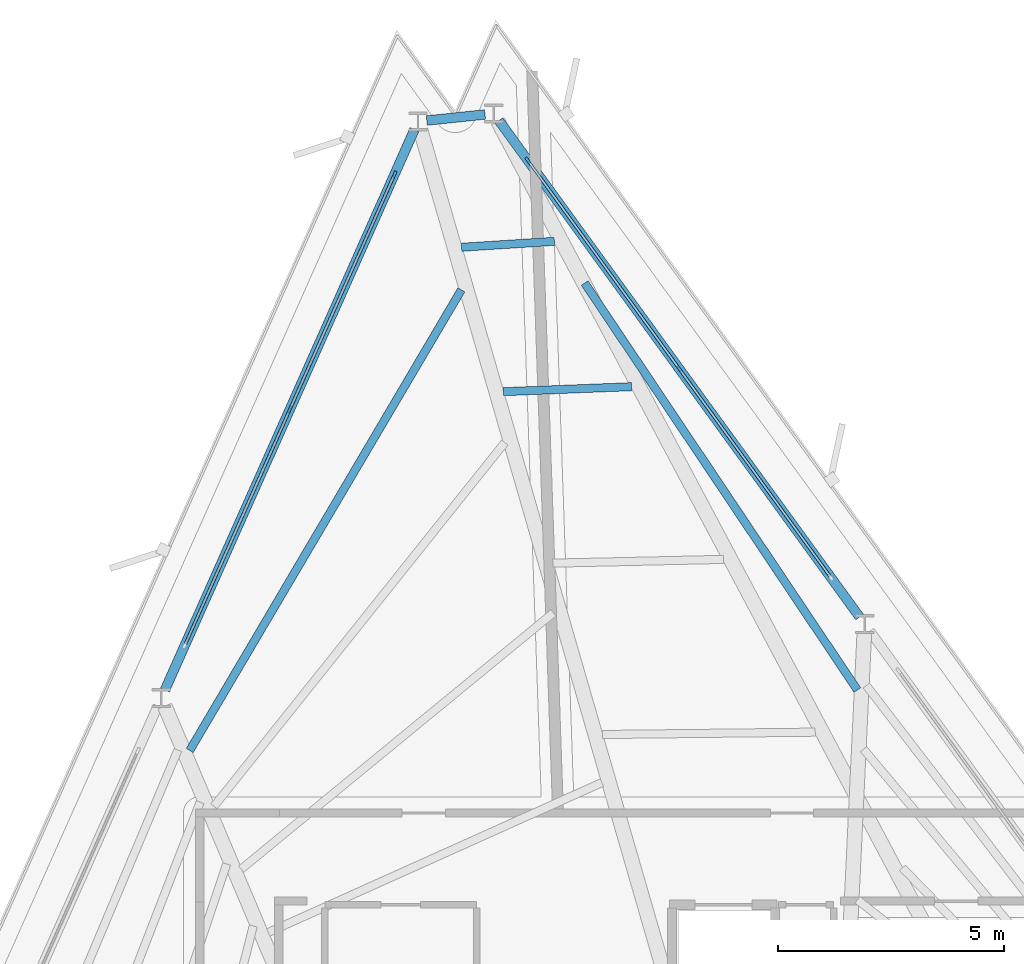
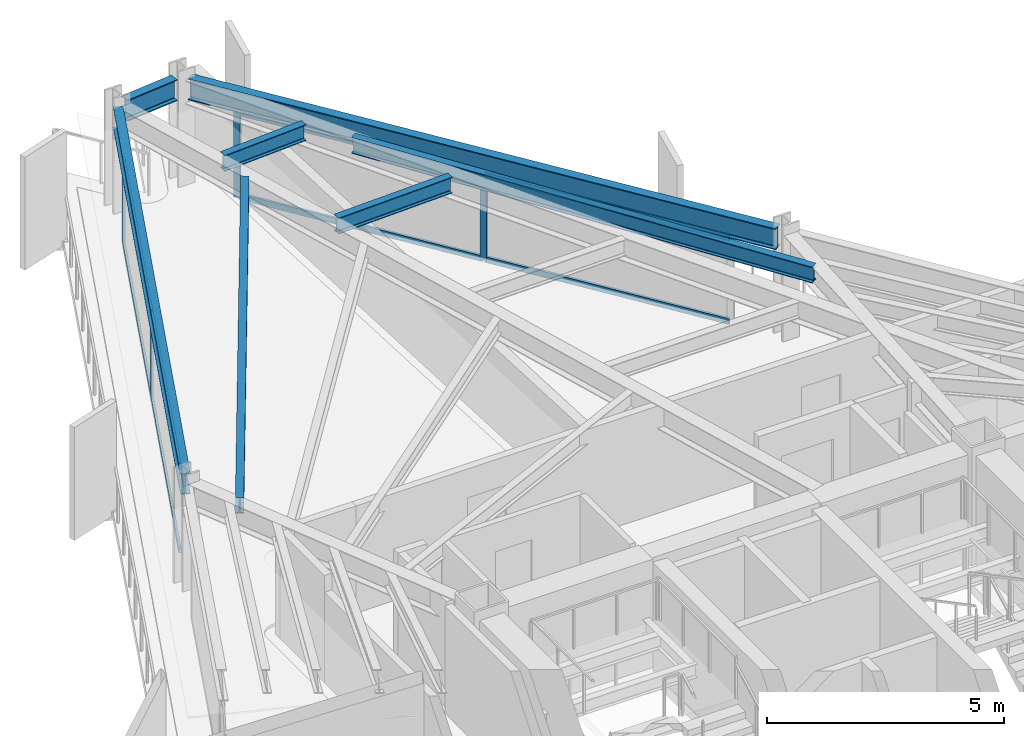
# One storey, part 6 of 13: 12 members, 7 beams, 2 elements without a shape of their own.
"""IFC4 building model written with IfcOpenShell, lengths in metres."""

from ifc_helpers import new_model, si_unit, direction, frame, origin, origin_2d, place, context, subcontext, project, spatial, rectangle, i_section, extrude, material, layer, layer_set, material_profile, profile_set, type_object, element, aggregate, save


model = new_model("IFC4")

# Units and contexts
model_context = context("Model", 3, precision=1e-05, world=origin(), true_north=direction((0.0, 1.0)))
body_context = subcontext(model_context, "Body", "Model", "MODEL_VIEW")
ifc_project = project(units=[si_unit("LENGTHUNIT", "METRE"), si_unit("AREAUNIT", "SQUARE_METRE"), si_unit("VOLUMEUNIT", "CUBIC_METRE"), si_unit("PLANEANGLEUNIT", "RADIAN"), si_unit("MASSUNIT", "GRAM", prefix="KILO")], contexts=[model_context])

# Site, building, storey
site_placement = place(None, origin())
site = spatial("IfcSite", under=ifc_project, at=site_placement, CompositionType="ELEMENT")
building_placement = place(site_placement, origin())
building = spatial("IfcBuilding", under=site, at=building_placement, Name="Rocaltana Carrier Exchange", CompositionType="ELEMENT")
storey_placement = place(building_placement, frame((0.0, 0.0, 119.840087890625)))
storey = spatial("IfcBuildingStorey", under=building, at=storey_placement, Name="L37", CompositionType="ELEMENT", Elevation=119.840087890625)

# Curtain wall, members
ifc_material_1 = material(Name="Aluminium 6063-T6", Category="aluminium")
ifc_layer = layer(ifc_material_1, 0.14990234375)
ifc_layer_set = layer_set([ifc_layer], Name="Aluminium 6063-T6")
curtain_wall_type = type_object("IfcCurtainWallType", Name="Mid-Tower Unitised Curtain Wall CW-03", PredefinedType="NOTDEFINED", material=ifc_layer_set)
curtain_wall_1_placement = place(storey_placement, origin())
curtain_wall_1 = element("IfcCurtainWall", 1, at=curtain_wall_1_placement, inside=storey, type_object=curtain_wall_type, Name="L37 CW-03 Run CW-L37-F1S3", PredefinedType="NOTDEFINED")
ifc_material_2 = material(Name="Aluminium 6063-T6", Category="aluminium")
ifc_material_profile_1 = material_profile(ifc_material_2, rectangle(XDim=0.06005859375, YDim=0.14990234375, at=origin_2d()), Name="AL-60X150")
ifc_profile_set_1 = profile_set([ifc_material_profile_1], Name="Aluminium 6063-T6")
member_type_1 = type_object("IfcMemberType", Name="CW-03 Mullion AL-60X150", PredefinedType="MULLION", material=ifc_profile_set_1)
member_1_placement = place(storey_placement, frame((2.363037109375, 18.980712890625, 0.0), z_axis=(0.0, 0.0, 1.0), x_axis=(-0.809013555195, -0.587789985889, 0.0)))
member_1 = element("IfcMember", 2, at=member_1_placement, type_object=member_type_1, Name="CW-03 mullion 2", PredefinedType="MULLION", context=body_context, shape_type="SweptSolid", body=[
    extrude(rectangle(XDim=0.06005859375, YDim=0.14990234375, at=origin_2d()), origin(), (0.0, 0.0, 1.0), 2.218017578125),
])
member_2_placement = place(storey_placement, frame((-0.9892578125, 23.5947265625, 0.0), z_axis=(0.0, 0.0, 1.0), x_axis=(-0.809013555195, -0.587789985889, 0.0)))
member_2 = element("IfcMember", 3, at=member_2_placement, type_object=member_type_1, Name="CW-03 mullion 3", PredefinedType="MULLION", context=body_context, shape_type="SweptSolid", body=[
    extrude(rectangle(XDim=0.06005859375, YDim=0.14990234375, at=origin_2d()), origin(), (0.0, 0.0, 1.0), 2.218017578125),
])

curtain_wall_2_placement = place(storey_placement, origin())
curtain_wall_2 = element("IfcCurtainWall", 4, at=curtain_wall_2_placement, inside=storey, type_object=curtain_wall_type, Name="L37 CW-03 Run CW-L37-F2S1", PredefinedType="NOTDEFINED")
member_3_placement = place(storey_placement, frame((-3.93798828125, 23.284912109375, 0.0), z_axis=(0.0, 0.0, 1.0), x_axis=(0.913543791084, -0.406740386206, 0.0)))
member_3 = element("IfcMember", 5, at=member_3_placement, type_object=member_type_1, Name="CW-03 mullion 1", PredefinedType="MULLION", context=body_context, shape_type="SweptSolid", body=[
    extrude(rectangle(XDim=0.06005859375, YDim=0.14990234375, at=origin_2d()), origin(), (0.0, 0.0, 1.0), 2.218017578125),
])
member_4_placement = place(storey_placement, frame((-6.2578125, 18.074462890625, 0.0), z_axis=(0.0, 0.0, 1.0), x_axis=(0.913543791084, -0.406740386206, 0.0)))
member_4 = element("IfcMember", 6, at=member_4_placement, type_object=member_type_1, Name="CW-03 mullion 2", PredefinedType="MULLION", context=body_context, shape_type="SweptSolid", body=[
    extrude(rectangle(XDim=0.06005859375, YDim=0.14990234375, at=origin_2d()), origin(), (0.0, 0.0, 1.0), 2.218017578125),
])

# Member
ifc_material_3 = material(Name="Aluminium 6063-T6", Category="aluminium")
ifc_material_profile_2 = material_profile(ifc_material_3, rectangle(XDim=0.06005859375, YDim=0.14990234375, at=origin_2d()), Name="AL-60X150")
ifc_profile_set_2 = profile_set([ifc_material_profile_2], Name="Aluminium 6063-T6")
member_type_2 = type_object("IfcMemberType", Name="CW-03 Transom AL-60X150", PredefinedType="USERDEFINED", material=ifc_profile_set_2)
member_5_placement = place(storey_placement, frame((5.69775390625, 14.390869140625, 0.030029296875), z_axis=(-0.587803791035, 0.809003524866, 0.0), x_axis=(-0.809003524866, -0.587803791035, 0.0)))
member_5 = element("IfcMember", 7, at=member_5_placement, type_object=member_type_2, Name="CW-03 transom 1.1", ObjectType="TRANSOM", PredefinedType="USERDEFINED", context=body_context, shape_type="SweptSolid", body=[
    extrude(rectangle(XDim=0.06005859375, YDim=0.14990234375, at=origin_2d()), origin(), (0.0, 0.0, 1.0), 5.643310546875),
])

member_6_placement = place(storey_placement, frame((5.69775390625, 14.390869140625, 2.18798828125), z_axis=(-0.587803791035, 0.809003524866, 0.0), x_axis=(-0.809003524866, -0.587803791035, 0.0)))
member_6 = element("IfcMember", 8, at=member_6_placement, type_object=member_type_2, Name="CW-03 transom 1.2", ObjectType="TRANSOM", PredefinedType="USERDEFINED", context=body_context, shape_type="SweptSolid", body=[
    extrude(rectangle(XDim=0.06005859375, YDim=0.14990234375, at=origin_2d()), origin(), (0.0, 0.0, 1.0), 5.643310546875),
])

member_7_placement = place(storey_placement, frame((2.345458984375, 19.0048828125, 0.030029296875), z_axis=(-0.58778321885, 0.809018471753, 0.0), x_axis=(-0.809018471753, -0.58778321885, 0.0)))
member_7 = element("IfcMember", 9, at=member_7_placement, type_object=member_type_2, Name="CW-03 transom 2.1", ObjectType="TRANSOM", PredefinedType="USERDEFINED", context=body_context, shape_type="SweptSolid", body=[
    extrude(rectangle(XDim=0.06005859375, YDim=0.14990234375, at=origin_2d()), origin(), (0.0, 0.0, 1.0), 5.6435546875),
])

member_8_placement = place(storey_placement, frame((2.345458984375, 19.0048828125, 2.18798828125), z_axis=(-0.58778321885, 0.809018471753, 0.0), x_axis=(-0.809018471753, -0.58778321885, 0.0)))
member_8 = element("IfcMember", 10, at=member_8_placement, type_object=member_type_2, Name="CW-03 transom 2.2", ObjectType="TRANSOM", PredefinedType="USERDEFINED", context=body_context, shape_type="SweptSolid", body=[
    extrude(rectangle(XDim=0.06005859375, YDim=0.14990234375, at=origin_2d()), origin(), (0.0, 0.0, 1.0), 5.6435546875),
])

aggregate(curtain_wall_1, [member_1, member_2, member_5, member_6, member_7, member_8])

member_9_placement = place(storey_placement, frame((-3.9501953125, 23.25732421875, 0.030029296875), z_axis=(-0.406740464784, -0.913543756099, 0.0), x_axis=(0.913543756099, -0.406740464784, 0.0)))
member_9 = element("IfcMember", 11, at=member_9_placement, type_object=member_type_2, Name="CW-03 transom 1.1", ObjectType="TRANSOM", PredefinedType="USERDEFINED", context=body_context, shape_type="SweptSolid", body=[
    extrude(rectangle(XDim=0.06005859375, YDim=0.14990234375, at=origin_2d()), origin(), (0.0, 0.0, 1.0), 5.643310546875),
])

member_10_placement = place(storey_placement, frame((-3.9501953125, 23.25732421875, 2.18798828125), z_axis=(-0.406740464784, -0.913543756099, 0.0), x_axis=(0.913543756099, -0.406740464784, 0.0)))
member_10 = element("IfcMember", 12, at=member_10_placement, type_object=member_type_2, Name="CW-03 transom 1.2", ObjectType="TRANSOM", PredefinedType="USERDEFINED", context=body_context, shape_type="SweptSolid", body=[
    extrude(rectangle(XDim=0.06005859375, YDim=0.14990234375, at=origin_2d()), origin(), (0.0, 0.0, 1.0), 5.643310546875),
])

member_11_placement = place(storey_placement, frame((-6.27001953125, 18.047119140625, 0.030029296875), z_axis=(-0.406704359788, -0.913559830405, 0.0), x_axis=(0.913559830405, -0.406704359788, 0.0)))
member_11 = element("IfcMember", 13, at=member_11_placement, type_object=member_type_2, Name="CW-03 transom 2.1", ObjectType="TRANSOM", PredefinedType="USERDEFINED", context=body_context, shape_type="SweptSolid", body=[
    extrude(rectangle(XDim=0.06005859375, YDim=0.14990234375, at=origin_2d()), origin(), (0.0, 0.0, 1.0), 5.643310546875),
])

member_12_placement = place(storey_placement, frame((-6.27001953125, 18.047119140625, 2.18798828125), z_axis=(-0.406704359788, -0.913559830405, 0.0), x_axis=(0.913559830405, -0.406704359788, 0.0)))
member_12 = element("IfcMember", 14, at=member_12_placement, type_object=member_type_2, Name="CW-03 transom 2.2", ObjectType="TRANSOM", PredefinedType="USERDEFINED", context=body_context, shape_type="SweptSolid", body=[
    extrude(rectangle(XDim=0.06005859375, YDim=0.14990234375, at=origin_2d()), origin(), (0.0, 0.0, 1.0), 5.643310546875),
])

aggregate(curtain_wall_2, [member_3, member_4, member_9, member_10, member_11, member_12])

# Beams
ifc_material_4 = material(Name="Steel S355", Category="steel")
ifc_material_profile_3 = material_profile(ifc_material_4, i_section(OverallWidth=0.179931640625, OverallDepth=0.4130859375, WebThickness=0.009765625, FlangeThickness=0.01611328125, FilletRadius=0.012939453125, at=origin_2d()), Name="W16X50")
ifc_profile_set_3 = profile_set([ifc_material_profile_3], Name="Steel S355")
beam_type_1 = type_object("IfcBeamType", Name="Floor Joist W16X50", PredefinedType="JOIST", material=ifc_profile_set_3)
beam_1_placement = place(storey_placement, frame((6.3056640625, 11.87109375, 2.581298828125), z_axis=(-0.556730424086, 0.830693225503, 0.0), x_axis=(-0.830693225503, -0.556730424086, 0.0)))
element("IfcBeam", 15, at=beam_1_placement, inside=storey, type_object=beam_type_1, Name="FJ-L37-03-4", PredefinedType="JOIST", context=body_context, shape_type="SweptSolid", body=[
    extrude(i_section(OverallWidth=0.179931640625, OverallDepth=0.4130859375, WebThickness=0.009765625, FlangeThickness=0.01611328125, FilletRadius=0.012939453125, at=origin_2d()), origin(), (0.0, 0.0, 1.0), 10.841552734375),
])
beam_2_placement = place(storey_placement, frame((1.31005859375, 18.585205078125, 2.581298828125), z_axis=(-0.999236623871, -0.039066219613, 0.0), x_axis=(0.039066219613, -0.999236623871, 0.0)))
element("IfcBeam", 16, at=beam_2_placement, inside=storey, type_object=beam_type_1, Name="FJ-L37-04-3", PredefinedType="JOIST", context=body_context, shape_type="SweptSolid", body=[
    extrude(i_section(OverallWidth=0.179931640625, OverallDepth=0.4130859375, WebThickness=0.009765625, FlangeThickness=0.01611328125, FilletRadius=0.012939453125, at=origin_2d()), origin(), (0.0, 0.0, 1.0), 2.843505859375),
])
beam_3_placement = place(storey_placement, frame((-0.400390625, 21.802001953125, 2.581298828125), z_axis=(-0.99795348831, -0.063944000261, 0.0), x_axis=(0.063944000261, -0.99795348831, 0.0)))
element("IfcBeam", 17, at=beam_3_placement, inside=storey, type_object=beam_type_1, Name="FJ-L37-04-4", PredefinedType="JOIST", context=body_context, shape_type="SweptSolid", body=[
    extrude(i_section(OverallWidth=0.179931640625, OverallDepth=0.4130859375, WebThickness=0.009765625, FlangeThickness=0.01611328125, FilletRadius=0.012939453125, at=origin_2d()), origin(), (0.0, 0.0, 1.0), 2.057861328125),
])
beam_4_placement = place(storey_placement, frame((-2.45849609375, 20.72802734375, 2.581298828125), z_axis=(-0.507982665152, -0.861367292103, 0.0), x_axis=(0.861367292103, -0.507982665152, 0.0)))
element("IfcBeam", 18, at=beam_4_placement, inside=storey, type_object=beam_type_1, Name="FJ-L37-05-4", PredefinedType="JOIST", context=body_context, shape_type="SweptSolid", body=[
    extrude(i_section(OverallWidth=0.179931640625, OverallDepth=0.4130859375, WebThickness=0.009765625, FlangeThickness=0.01611328125, FilletRadius=0.012939453125, at=origin_2d()), origin(), (0.0, 0.0, 1.0), 11.83447265625),
])
ifc_material_5 = material(Name="Steel S355", Category="steel")
ifc_material_profile_4 = material_profile(ifc_material_5, i_section(OverallWidth=0.2119140625, OverallDepth=0.5439453125, WebThickness=0.01318359375, FlangeThickness=0.021240234375, FilletRadius=0.014892578125, at=origin_2d()), Name="W21X83")
ifc_profile_set_4 = profile_set([ifc_material_profile_4], Name="Steel S355")
beam_type_2 = type_object("IfcBeamType", Name="Spandrel Edge Beam W21X83", PredefinedType="SPANDREL", material=ifc_profile_set_4)
beam_5_placement = place(storey_placement, frame((6.353271484375, 13.48876953125, 2.515869140625), z_axis=(-0.587792057578, 0.809012050002, 0.0), x_axis=(-0.809012050002, -0.587792057578, 0.0)))
element("IfcBeam", 19, at=beam_5_placement, inside=storey, type_object=beam_type_2, Name="SP-L37-03", PredefinedType="SPANDREL", context=body_context, shape_type="SweptSolid", body=[
    extrude(i_section(OverallWidth=0.2119140625, OverallDepth=0.5439453125, WebThickness=0.01318359375, FlangeThickness=0.021240234375, FilletRadius=0.014892578125, at=origin_2d()), origin(), (0.0, 0.0, 1.0), 13.57666015625),
])
beam_6_placement = place(storey_placement, frame((-1.935546875, 24.60986328125, 2.515869140625), z_axis=(-0.994530218874, -0.104449240049, 0.0), x_axis=(0.104449240049, -0.994530218874, 0.0)))
element("IfcBeam", 20, at=beam_6_placement, inside=storey, type_object=beam_type_2, Name="SP-L37-04", PredefinedType="SPANDREL", context=body_context, shape_type="SweptSolid", body=[
    extrude(i_section(OverallWidth=0.2119140625, OverallDepth=0.5439453125, WebThickness=0.01318359375, FlangeThickness=0.021240234375, FilletRadius=0.014892578125, at=origin_2d()), origin(), (0.0, 0.0, 1.0), 1.294921875),
])
beam_7_placement = place(storey_placement, frame((-3.49658203125, 24.27587890625, 2.515869140625), z_axis=(-0.406744031685, -0.913542167986, 0.0), x_axis=(0.913542167986, -0.406744031685, 0.0)))
element("IfcBeam", 21, at=beam_7_placement, inside=storey, type_object=beam_type_2, Name="SP-L37-05", PredefinedType="SPANDREL", context=body_context, shape_type="SweptSolid", body=[
    extrude(i_section(OverallWidth=0.2119140625, OverallDepth=0.5439453125, WebThickness=0.01318359375, FlangeThickness=0.021240234375, FilletRadius=0.014892578125, at=origin_2d()), origin(), (0.0, 0.0, 1.0), 13.57666015625),
])

save(model, "model.ifc")
